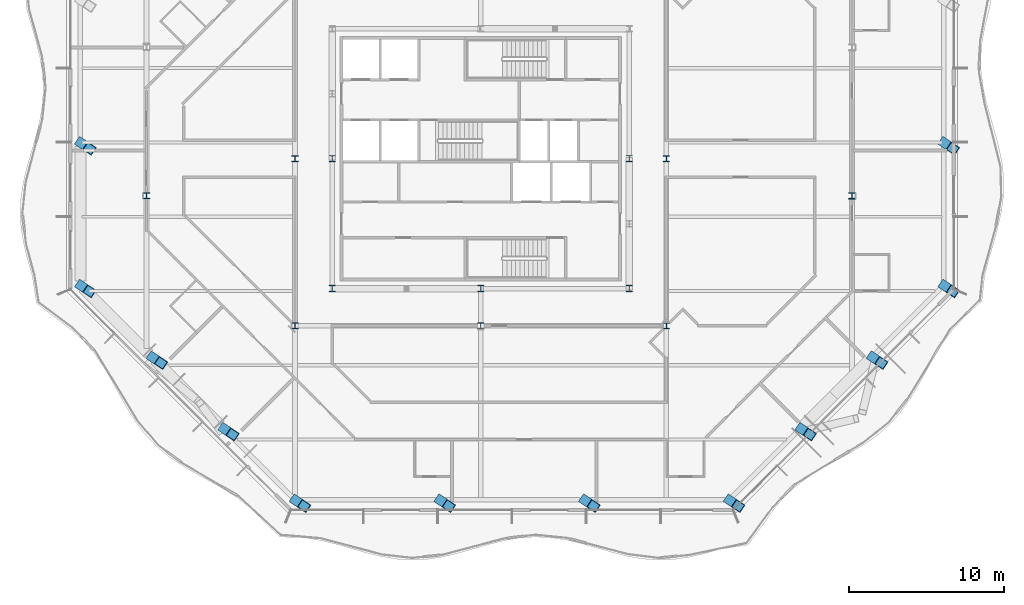
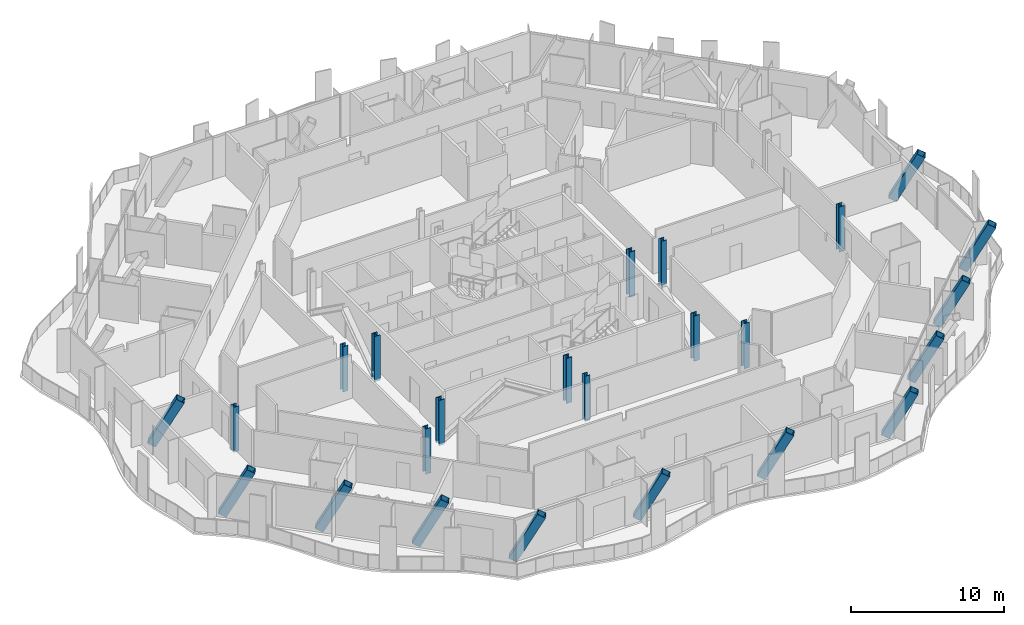
# One storey, part 1 of 21: 24 columns.
"""IFC4 building model written with IfcOpenShell, lengths in metres."""

from ifc_helpers import new_model, si_unit, direction, frame, origin, origin_2d, place, context, subcontext, project, spatial, hollow_rectangle, i_section, extrude, clip, halfspace, material, material_profile, profile_set, type_object, element, save


model = new_model("IFC4")

# Units and contexts
model_context = context("Model", 3, precision=1e-05, world=origin(), true_north=direction((0.0, 1.0)))
body_context = subcontext(model_context, "Body", "Model", "MODEL_VIEW")
ifc_project = project(units=[si_unit("LENGTHUNIT", "METRE"), si_unit("AREAUNIT", "SQUARE_METRE"), si_unit("VOLUMEUNIT", "CUBIC_METRE"), si_unit("PLANEANGLEUNIT", "RADIAN"), si_unit("MASSUNIT", "GRAM", prefix="KILO")], contexts=[model_context])

# Site, building, storey
site_placement = place(None, origin())
site = spatial("IfcSite", under=ifc_project, at=site_placement, CompositionType="ELEMENT")
building_placement = place(site_placement, origin())
building = spatial("IfcBuilding", under=site, at=building_placement, Name="Cairn Pilgrim Tower", CompositionType="ELEMENT")
storey_placement = place(building_placement, frame((0.0, 0.0, 183.0)))
storey = spatial("IfcBuildingStorey", under=building, at=storey_placement, Name="L46", CompositionType="ELEMENT", Elevation=183.0)

# Columns
ifc_material_1 = material(Name="Structural steel S460M", Category="steel")
ifc_material_profile_1 = material_profile(ifc_material_1, hollow_rectangle(XDim=0.60009765625, YDim=0.60009765625, WallThickness=0.034912109375, at=origin_2d()), Name="BOX 600x600x35")
ifc_profile_set_1 = profile_set([ifc_material_profile_1], Name="Structural steel S460M")
column_type_1 = type_object("IfcColumnType", Name="BOX 600x600x35", PredefinedType="COLUMN", material=ifc_profile_set_1)
for number, where, z_axis, x_axis, name in (
    (1, (-4.80224609375, -19.64990234375, -0.14990234375), (0.387233423141, -0.258175624389, 0.885096391911), (0.554729959787, 0.832030451194, 0.0), "PC2-S1"),
    (2, (4.54931640625, -19.64990234375, -0.14990234375), (0.387233423141, -0.258175624389, 0.885096391911), (0.554729959787, 0.832030451194, 0.0), "PC2-S2"),
    (3, (13.900634765625, -19.64990234375, -0.14990234375), (0.387233423141, -0.258175624389, 0.885096391911), (0.554729959787, 0.832030451194, 0.0), "PC2-S3"),
    (4, (23.252197265625, -19.64990234375, -0.14990234375), (0.387233423141, -0.258175624389, 0.885096391911), (0.554729959787, 0.832030451194, 0.0), "PC2-SE1"),
    (5, (27.87646484375, -15.025634765625, -0.14990234375), (0.387233423141, -0.258175624389, 0.885096391911), (0.554729959787, 0.832030451194, 0.0), "PC2-SE2"),
    (6, (32.500732421875, -10.401611328125, -0.14990234375), (0.387239423725, -0.258119597274, 0.885110107397), (0.554640662713, 0.83208998027, 0.0), "PC2-SE3"),
    (7, (37.125, -5.777099609375, -0.14990234375), (0.387233423141, -0.258175624389, 0.885096391911), (0.554729959787, 0.832030451194, 0.0), "PC2-E1"),
    (8, (37.125, 3.449951171875, -0.14990234375), (0.387233423141, -0.258175624389, 0.885096391911), (0.554729959787, 0.832030451194, 0.0), "PC2-E2"),
    (9, (-18.675048828125, 3.449951171875, -0.14990234375), (0.387233423141, -0.258175624389, 0.885096391911), (0.554729959787, 0.832030451194, 0.0), "PC2-W2"),
    (10, (-18.675048828125, -5.777099609375, -0.14990234375), (0.387233423141, -0.258175624389, 0.885096391911), (0.554729959787, 0.832030451194, 0.0), "PC2-SW1"),
    (11, (-14.05078125, -10.401611328125, -0.14990234375), (0.387290448326, -0.258113596993, 0.885089532015), (0.55458113914, 0.832129653426, 0.0), "PC2-SW2"),
    (12, (-9.426513671875, -15.025634765625, -0.14990234375), (0.387233423141, -0.258175624389, 0.885096391911), (0.554729959787, 0.832030451194, 0.0), "PC2-SW3"),
):
    element("IfcColumn", number, at=place(storey_placement, frame(where, z_axis=z_axis, x_axis=x_axis)), inside=storey, type_object=column_type_1, Name=name, PredefinedType="COLUMN", context=body_context, shape_type="Clipping", body=[
        clip(extrude(hollow_rectangle(XDim=0.60009765625, YDim=0.60009765625, WallThickness=0.034912109375, at=origin_2d()), origin(), (0.0, 0.0, 1.0), 4.067138671875), halfspace(frame((0.0, 0.0, 0.0185546875), z_axis=(0.0, 0.0, 1.0), x_axis=(1.0, 0.0, 0.0)), True)),
    ])
ifc_material_2 = material(Name="Structural steel S355J2", Category="steel")
ifc_material_profile_2 = material_profile(ifc_material_2, i_section(OverallWidth=0.39892578125, OverallDepth=0.39306640625, WebThickness=0.022705078125, FlangeThickness=0.03662109375, FilletRadius=0.014892578125, at=origin_2d()), Name="HD 400x287")
ifc_profile_set_2 = profile_set([ifc_material_profile_2], Name="Structural steel S355J2")
column_type_2 = type_object("IfcColumnType", Name="HD 400x287", PredefinedType="COLUMN", material=ifc_profile_set_2)
for number, where, z_axis, x_axis, name in (
    (13, (-4.800048828125, -8.39990234375, -0.14990234375), (0.0, 0.0, 1.0), (1.0, 0.0, 0.0), "IC-1"),
    (14, (7.199951171875, -8.39990234375, -0.14990234375), (0.0, 0.0, 1.0), (1.0, 0.0, 0.0), "IC-2"),
    (15, (19.199951171875, -8.39990234375, -0.14990234375), (0.0, 0.0, 1.0), (1.0, 0.0, 0.0), "IC-3"),
    (16, (-4.800048828125, 2.39990234375, -0.14990234375), (0.0, 0.0, 1.0), (1.0, 0.0, 0.0), "IC-4"),
    (17, (19.199951171875, 2.39990234375, -0.14990234375), (0.0, 0.0, 1.0), (1.0, 0.0, 0.0), "IC-5"),
    (18, (-14.39990234375, 0.0, -0.14990234375), (0.0, 0.0, 1.0), (1.0, 0.0, 0.0), "WC-WW+0"),
):
    element("IfcColumn", number, at=place(storey_placement, frame(where, z_axis=z_axis, x_axis=x_axis)), inside=storey, type_object=column_type_2, Name=name, PredefinedType="COLUMN", context=body_context, shape_type="SweptSolid", body=[
        extrude(i_section(OverallWidth=0.39892578125, OverallDepth=0.39306640625, WebThickness=0.022705078125, FlangeThickness=0.03662109375, FilletRadius=0.014892578125, at=origin_2d()), origin(), (0.0, 0.0, 1.0), 3.599853515625),
    ])
ifc_material_profile_3 = material_profile(ifc_material_1, i_section(OverallWidth=0.408935546875, OverallDepth=0.425048828125, WebThickness=0.03271484375, FlangeThickness=0.052490234375, FilletRadius=0.014892578125, at=origin_2d()), Name="HD 400x421")
ifc_profile_set_3 = profile_set([ifc_material_profile_3], Name="Structural steel S460M")
column_type_3 = type_object("IfcColumnType", Name="HD 400x421", PredefinedType="COLUMN", material=ifc_profile_set_3)
column_placement = place(storey_placement, frame((31.199951171875, 0.0, -0.14990234375), z_axis=(0.0, 0.0, 1.0), x_axis=(1.0, 0.0, 0.0)))
element("IfcColumn", 19, at=column_placement, inside=storey, type_object=column_type_3, Name="WC-WE+0", PredefinedType="COLUMN", context=body_context, shape_type="SweptSolid", body=[
    extrude(i_section(OverallWidth=0.408935546875, OverallDepth=0.425048828125, WebThickness=0.03271484375, FlangeThickness=0.052490234375, FilletRadius=0.014892578125, at=origin_2d()), origin(), (0.0, 0.0, 1.0), 3.599853515625),
])
ifc_material_profile_4 = material_profile(ifc_material_1, i_section(OverallWidth=0.416015625, OverallDepth=0.446044921875, WebThickness=0.0390625, FlangeThickness=0.062744140625, FilletRadius=0.014892578125, at=origin_2d()), Name="HD 400x509")
ifc_profile_set_4 = profile_set([ifc_material_profile_4], Name="Structural steel S460M")
column_type_4 = type_object("IfcColumnType", Name="HD 400x509", PredefinedType="COLUMN", material=ifc_profile_set_4)
for number, where, z_axis, x_axis, name in (
    (20, (-2.39990234375, -6.0, -0.14990234375), (0.0, 0.0, 1.0), (1.0, 0.0, 0.0), "KC-1"),
    (21, (7.199951171875, -6.0, -0.14990234375), (0.0, 0.0, 1.0), (1.0, 0.0, 0.0), "KC-2"),
    (22, (16.800048828125, -6.0, -0.14990234375), (0.0, 0.0, 1.0), (1.0, 0.0, 0.0), "KC-3"),
    (23, (-2.39990234375, 2.39990234375, -0.14990234375), (0.0, 0.0, 1.0), (1.0, 0.0, 0.0), "KC-4"),
    (24, (16.800048828125, 2.39990234375, -0.14990234375), (0.0, 0.0, 1.0), (1.0, 0.0, 0.0), "KC-5"),
):
    element("IfcColumn", number, at=place(storey_placement, frame(where, z_axis=z_axis, x_axis=x_axis)), inside=storey, type_object=column_type_4, Name=name, PredefinedType="COLUMN", context=body_context, shape_type="SweptSolid", body=[
        extrude(i_section(OverallWidth=0.416015625, OverallDepth=0.446044921875, WebThickness=0.0390625, FlangeThickness=0.062744140625, FilletRadius=0.014892578125, at=origin_2d()), origin(), (0.0, 0.0, 1.0), 3.599853515625),
    ])

save(model, "model.ifc")
